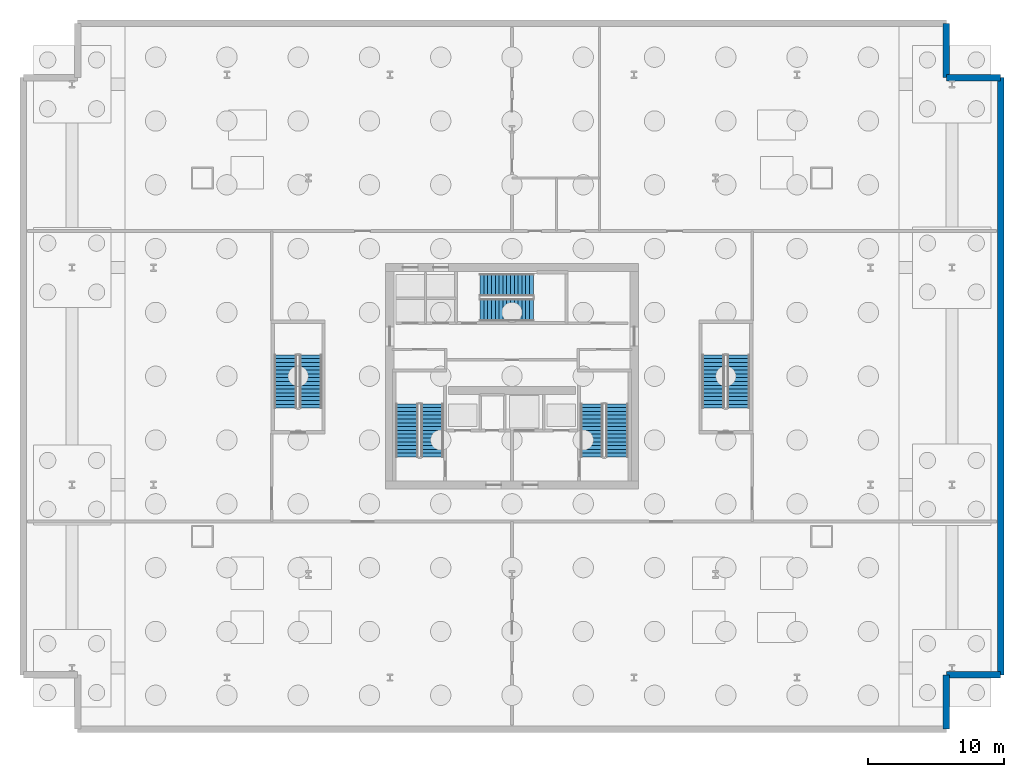
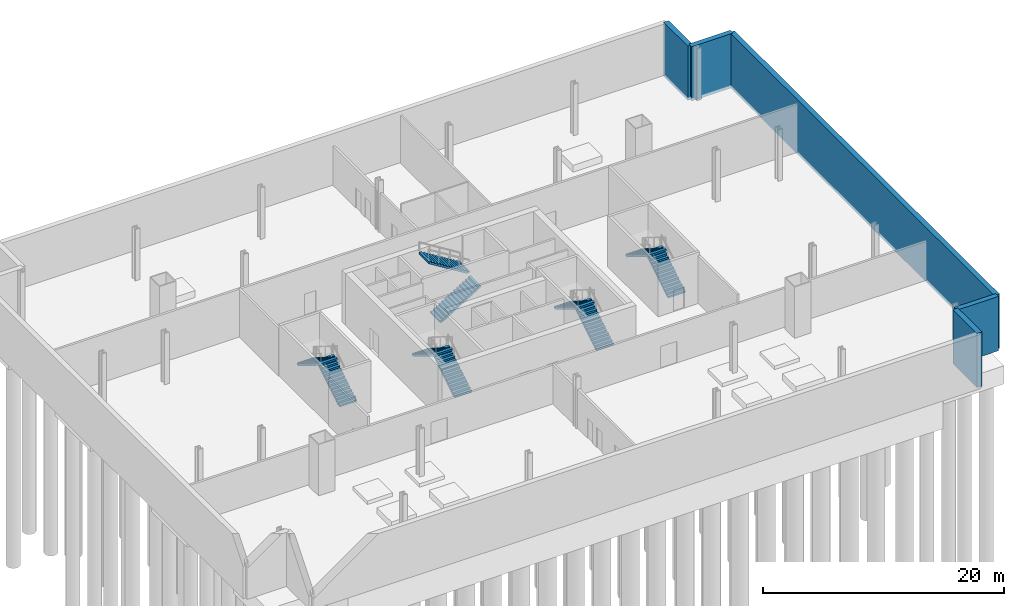
# One storey, part 6 of 8: 10 stair flights, 5 walls, 5 elements without a shape of their own.
"""IFC4 building model written with IfcOpenShell, lengths in metres."""

import ifcopenshell
import ifcopenshell.guid

model = None  # the IFC model being written
_history = None  # IfcOwnerHistory: only IFC2X3 demands one
_inside = {}  # id of a spatial element -> (the spatial element, [elements in it])
_under = {}  # id of a project, library or spatial element -> (it, [spatial elements below it])
_declared = {}  # id of a project -> (the project, [libraries it declares])
_typed = {}  # id of a type object -> (the type object, [elements of that type])
_made_of = {}  # id of a material, layer set ... -> (it, [elements and type objects made of it])


def new_model(schema):
    """Start an empty IFC model of exactly this schema.

    Asked for "IFC4X3", IfcOpenShell would pick the latest addendum, in which some entities
    have other attributes; the version numbers below select the first issue.
    IFC2X3 requires an IfcOwnerHistory on every rooted entity: one is made here for all.
    """
    global model, _history
    if schema == "IFC4X3":
        model = ifcopenshell.file(schema_version=(4, 3, 0, 0))
    else:
        model = ifcopenshell.file(schema=schema)
    _inside.clear()
    _under.clear()
    _declared.clear()
    _typed.clear()
    _made_of.clear()
    _history = None
    if model.schema == "IFC2X3":
        org = make("IfcOrganization", Name="unknown")
        user = make(
            "IfcPersonAndOrganization",
            ThePerson=make("IfcPerson", FamilyName="unknown"),
            TheOrganization=org,
        )
        app = make(
            "IfcApplication",
            ApplicationDeveloper=org,
            Version="unknown",
            ApplicationFullName="unknown",
            ApplicationIdentifier="unknown",
        )
        _history = make(
            "IfcOwnerHistory",
            OwningUser=user,
            OwningApplication=app,
            ChangeAction="ADDED",
            CreationDate=0,
        )
    return model


def make(cls, **values):
    """One entity of the class cls with the attributes given. An attribute that is None is left unset."""
    return model.create_entity(
        cls, **{name: value for name, value in values.items() if value is not None}
    )


def rooted(cls, **values):
    """An entity with a GlobalId (a new one), such as an element, a storey or a relation."""
    return make(cls, GlobalId=ifcopenshell.guid.new(), OwnerHistory=_history, **values)


def si_unit(unit_type, name, prefix=None):
    """IfcSIUnit, for example si_unit("LENGTHUNIT", "METRE", prefix="MILLI")."""
    return make("IfcSIUnit", UnitType=unit_type, Prefix=prefix, Name=name)


def assignment(units):
    """IfcUnitAssignment: the units of a project."""
    return None if units is None else make("IfcUnitAssignment", Units=units)


def point(xyz):
    """IfcCartesianPoint."""
    return None if xyz is None else make("IfcCartesianPoint", Coordinates=xyz)


def direction(xyz):
    """IfcDirection."""
    return None if xyz is None else make("IfcDirection", DirectionRatios=xyz)


def frame(location, z_axis=None, x_axis=None):
    """IfcAxis2Placement3D, a coordinate frame: its origin and axes. An axis left out is left unset."""
    return make(
        "IfcAxis2Placement3D",
        Location=point(location),
        Axis=direction(z_axis),
        RefDirection=direction(x_axis),
    )


def frame_2d(location, x_axis=None):
    """IfcAxis2Placement2D, a coordinate frame in the plane: its origin and x axis."""
    return make(
        "IfcAxis2Placement2D", Location=point(location), RefDirection=direction(x_axis)
    )


def origin():
    """The frame at (0, 0, 0) with its axes left unset."""
    return frame((0.0, 0.0, 0.0))


def place(relative_to, where):
    """IfcLocalPlacement: puts the frame where relative to a parent placement (None: the world)."""
    return make(
        "IfcLocalPlacement", PlacementRelTo=relative_to, RelativePlacement=where
    )


def context(
    kind, dimensions, precision=None, world=None, true_north=None, identifier=None
):
    """IfcGeometricRepresentationContext, for example the 3D "Model" context."""
    return make(
        "IfcGeometricRepresentationContext",
        ContextIdentifier=identifier,
        ContextType=kind,
        CoordinateSpaceDimension=dimensions,
        Precision=precision,
        WorldCoordinateSystem=world,
        TrueNorth=true_north,
    )


def subcontext(parent, identifier, kind, view, scale=None):
    """IfcGeometricRepresentationSubContext, for example "Body" below "Model"."""
    return make(
        "IfcGeometricRepresentationSubContext",
        ContextIdentifier=identifier,
        ContextType=kind,
        ParentContext=parent,
        TargetScale=scale,
        TargetView=view,
    )


def project(units=None, contexts=None):
    """IfcProject with its units and contexts."""
    return rooted(
        "IfcProject",
        Name="project",
        RepresentationContexts=contexts,
        UnitsInContext=assignment(units),
    )


def spatial(cls, under=None, at=None, **own):
    """A site, building, storey or space (cls), placed at a placement, below another one or the project."""
    s = rooted(cls, ObjectPlacement=at, **own)
    if under is not None:
        _under.setdefault(under.id(), (under, []))[1].append(s)
    return s


def polyline(points):
    """IfcPolyline through the points."""
    return make("IfcPolyline", Points=[point(p) for p in points])


def profile(cls, at=None, kind="AREA", **sizes):
    """A parametric profile (cls). Its sizes go by their IFC names, for example OverallWidth=200.0."""
    return make(cls, ProfileType=kind, Position=at, **sizes)


def rectangle(**sizes):
    """IfcRectangleProfileDef."""
    return profile("IfcRectangleProfileDef", **sizes)


def outline(outer, holes=None, kind="AREA"):
    """IfcArbitraryClosedProfileDef: a profile drawn as a closed curve; with holes, ...WithVoids."""
    if holes is None:
        return make("IfcArbitraryClosedProfileDef", ProfileType=kind, OuterCurve=outer)
    return make(
        "IfcArbitraryProfileDefWithVoids",
        ProfileType=kind,
        OuterCurve=outer,
        InnerCurves=holes,
    )


def extrude(swept, where, along, depth):
    """IfcExtrudedAreaSolid: the profile swept, set in the frame where, extruded along a direction by depth."""
    return make(
        "IfcExtrudedAreaSolid",
        SweptArea=swept,
        Position=where,
        ExtrudedDirection=direction(along),
        Depth=depth,
    )


def shape(context_of_items, identifier, shape_type, items):
    """IfcShapeRepresentation: the items that make up one representation, for example the "Body"."""
    return make(
        "IfcShapeRepresentation",
        ContextOfItems=context_of_items,
        RepresentationIdentifier=identifier,
        RepresentationType=shape_type,
        Items=items,
    )


def material(Name=None, Category=None):
    """IfcMaterial."""
    return make("IfcMaterial", Name=Name, Category=Category)


def layer(
    of_material, thickness, ventilated=None, Name=None, Category=None, Priority=None
):
    """IfcMaterialLayer: one layer of a wall or slab, of a material (None: an air gap)."""
    return make(
        "IfcMaterialLayer",
        Material=of_material,
        LayerThickness=thickness,
        IsVentilated=ventilated,
        Name=Name,
        Category=Category,
        Priority=Priority,
    )


def layer_set(layers, Name=None):
    """IfcMaterialLayerSet."""
    return make("IfcMaterialLayerSet", MaterialLayers=layers, LayerSetName=Name)


def made_of(thing, what):
    """Note that an element or type object is made of a material, layer set ...; save() writes the relation."""
    if what is not None:
        _made_of.setdefault(what.id(), (what, []))[1].append(thing)
    return thing


def type_object(cls, material=None, **own):
    """A type object (cls), such as IfcWallType, which elements share."""
    return made_of(rooted(cls, **own), material)


def element(
    cls,
    number,
    at=None,
    inside=None,
    cuts=None,
    type_object=None,
    material=None,
    context=None,
    identifier="Body",
    shape_type=None,
    held_by="IfcProductDefinitionShape",
    body=None,
    shapes=None,
    **own,
):
    """One element of the class cls, such as IfcWall. Its Tag is "e" and its number.

    at: its placement. inside: the storey or other place that contains it. cuts: it is an
    opening in that element (IfcRelVoidsElement). A single representation is given by context,
    identifier, shape_type and body (its items); several are given by shapes. held_by: the class
    of the entity that holds the representations. save() writes the other relations.
    """
    e = rooted(cls, Tag="e%d" % number, ObjectPlacement=at, **own)
    if body is not None:
        shapes = [shape(context, identifier, shape_type, body)]
    if shapes is not None:
        e.Representation = make(held_by, Representations=shapes)
    if inside is not None:
        _inside.setdefault(inside.id(), (inside, []))[1].append(e)
    if cuts is not None:
        rooted(
            "IfcRelVoidsElement", RelatingBuildingElement=cuts, RelatedOpeningElement=e
        )
    if type_object is not None:
        _typed.setdefault(type_object.id(), (type_object, []))[1].append(e)
    return made_of(e, material)


def aggregate(whole, parts):
    """IfcRelAggregates: a whole, such as a stair, and the parts it consists of."""
    return rooted("IfcRelAggregates", RelatingObject=whole, RelatedObjects=parts)


def save(model, path):
    """Write the relations noted so far, then the file.

    IfcRelAggregates (storeys below a building ...), IfcRelContainedInSpatialStructure (elements
    in a storey), IfcRelDefinesByType, IfcRelAssociatesMaterial and IfcRelDeclares: one each for
    every whole, place, type object, material and project.
    """
    for whole, parts in _under.values():
        aggregate(whole, parts)
    for where, things in _inside.values():
        rooted(
            "IfcRelContainedInSpatialStructure",
            RelatedElements=things,
            RelatingStructure=where,
        )
    for kind, things in _typed.values():
        rooted("IfcRelDefinesByType", RelatedObjects=things, RelatingType=kind)
    for what, things in _made_of.values():
        rooted("IfcRelAssociatesMaterial", RelatedObjects=things, RelatingMaterial=what)
    for by, libraries in _declared.values():
        rooted("IfcRelDeclares", RelatingContext=by, RelatedDefinitions=libraries)
    model.write(path)


model = new_model("IFC4")

# Units and contexts
model_context = context("Model", 3, precision=1e-05, world=origin(), true_north=direction((0.0, 1.0)))
body_context = subcontext(model_context, "Body", "Model", "MODEL_VIEW")
ifc_project = project(units=[si_unit("LENGTHUNIT", "METRE"), si_unit("AREAUNIT", "SQUARE_METRE"), si_unit("VOLUMEUNIT", "CUBIC_METRE"), si_unit("PLANEANGLEUNIT", "RADIAN"), si_unit("MASSUNIT", "GRAM", prefix="KILO")], contexts=[model_context])

# Site, building, storey
site_placement = place(None, origin())
site = spatial("IfcSite", under=ifc_project, at=site_placement, CompositionType="ELEMENT")
building_placement = place(site_placement, origin())
building = spatial("IfcBuilding", under=site, at=building_placement, Name="Haldenkirk Collegiate Tower", CompositionType="ELEMENT")
storey_placement = place(building_placement, frame((0.0, 0.0, -5.199951171875)))
storey = spatial("IfcBuildingStorey", under=building, at=storey_placement, Name="B1", CompositionType="ELEMENT", Elevation=-5.199951171875)

# Walls
ifc_material_1 = material(Name="Concrete f'c 55 MPa", Category="concrete")
ifc_layer = layer(ifc_material_1, 0.47998046875)
ifc_layer_set = layer_set([ifc_layer], Name="Concrete f'c 55 MPa")
wall_type = type_object("IfcWallType", Name="WL-B1-RET-480", PredefinedType="SHEAR", material=ifc_layer_set)
for number, where, z_axis, x_axis, name in (
    (1, (68.0, 0.0, -0.300048828125), (0.0, 0.0, 1.0), (0.0, 1.0, 0.0), "B1 perimeter retaining wall 02"),
    (2, (68.0, 4.0, -0.300048828125), (0.0, 0.0, 1.0), (1.0, 0.0, 0.0), "B1 perimeter retaining wall 03"),
):
    element("IfcWall", number, at=place(storey_placement, frame(where, z_axis=z_axis, x_axis=x_axis)), inside=storey, type_object=wall_type, Name=name, PredefinedType="SHEAR", context=body_context, shape_type="SweptSolid", body=[
        extrude(rectangle(XDim=4.0, YDim=0.47998046875, at=frame_2d((2.0, 0.0))), origin(), (0.0, 0.0, 1.0), 5.5),
    ])
wall_placement = place(storey_placement, frame((72.0, 4.0, -0.300048828125), z_axis=(0.0, 0.0, 1.0), x_axis=(0.0, 1.0, 0.0)))
element("IfcWall", 3, at=wall_placement, inside=storey, type_object=wall_type, Name="B1 perimeter retaining wall 04", PredefinedType="SHEAR", context=body_context, shape_type="SweptSolid", body=[
    extrude(rectangle(XDim=44.0, YDim=0.47998046875, at=frame_2d((22.0, 0.0))), origin(), (0.0, 0.0, 1.0), 5.5),
])
for number, where, z_axis, x_axis, name in (
    (4, (72.0, 48.0, -0.300048828125), (0.0, 0.0, 1.0), (-1.0, 0.0, 0.0), "B1 perimeter retaining wall 05"),
    (5, (68.0, 48.0, -0.300048828125), (0.0, 0.0, 1.0), (0.0, 1.0, 0.0), "B1 perimeter retaining wall 06"),
):
    element("IfcWall", number, at=place(storey_placement, frame(where, z_axis=z_axis, x_axis=x_axis)), inside=storey, type_object=wall_type, Name=name, PredefinedType="SHEAR", context=body_context, shape_type="SweptSolid", body=[
        extrude(rectangle(XDim=4.0, YDim=0.47998046875, at=frame_2d((2.0, 0.0))), origin(), (0.0, 0.0, 1.0), 5.5),
    ])

# Stair, stair flights
ifc_material_2 = material(Name="Concrete f'c 40 MPa", Category="concrete")
stair_type = type_object("IfcStairType", Name="STR-DOGLEG-1650", PredefinedType="HALF_TURN_STAIR", material=ifc_material_2)
stair_1_placement = place(storey_placement, origin())
stair_1 = element("IfcStair", 6, at=stair_1_placement, inside=storey, type_object=stair_type, Name="B1 Core Exit Stair ST-1", PredefinedType="HALF_TURN_STAIR")
stair_flight_type = type_object("IfcStairFlightType", Name="STF-FLIGHT-1650", PredefinedType="STRAIGHT", material=ifc_material_2)
stair_flight_1_placement = place(storey_placement, frame((30.125, 20.050048828125, 0.0), z_axis=(0.0, 0.0, 1.0), x_axis=(0.0, 1.0, 0.0)))
stair_flight_1 = element("IfcStairFlight", 7, at=stair_flight_1_placement, type_object=stair_flight_type, Name="ST-1 flight 1", NumberOfRisers=15, NumberOfTreads=14, PredefinedType="STRAIGHT", RiserHeight=0.173333333, TreadLength=0.28, context=body_context, shape_type="SweptSolid", body=[
    extrude(outline(polyline([(0.0, 0.0), (0.0, 0.17333984375), (0.280029296875, 0.17333984375), (0.280029296875, 0.3466796875), (0.56005859375, 0.3466796875), (0.56005859375, 0.52001953125), (0.840087890625, 0.52001953125), (0.840087890625, 0.693359375), (1.1201171875, 0.693359375), (1.1201171875, 0.86669921875), (1.39990234375, 0.86669921875), (1.39990234375, 1.0400390625), (1.679931640625, 1.0400390625), (1.679931640625, 1.21337890625), (1.9599609375, 1.21337890625), (1.9599609375, 1.38671875), (2.239990234375, 1.38671875), (2.239990234375, 1.56005859375), (2.52001953125, 1.56005859375), (2.52001953125, 1.7333984375), (2.800048828125, 1.7333984375), (2.800048828125, 1.90673828125), (3.080078125, 1.90673828125), (3.080078125, 2.080078125), (3.360107421875, 2.080078125), (3.360107421875, 2.25341796875), (3.639892578125, 2.25341796875), (3.639892578125, 2.4267578125), (3.919921875, 2.4267578125), (3.919921875, 2.60009765625), (3.919921875, 2.250244140625), (0.284912109375, 0.0), (0.0, 0.0)])), frame((0.0, 0.824951171875, 0.0), z_axis=(0.0, -1.0, 0.0), x_axis=(1.0, 0.0, 0.0)), (0.0, 0.0, 1.0), 1.64990234375),
])
stair_flight_2_placement = place(storey_placement, frame((28.27490234375, 23.969970703125, 2.599853515625), z_axis=(0.0, 0.0, 1.0), x_axis=(0.0, -1.0, 0.0)))
stair_flight_2 = element("IfcStairFlight", 8, at=stair_flight_2_placement, type_object=stair_flight_type, Name="ST-1 flight 2", NumberOfRisers=15, NumberOfTreads=14, PredefinedType="STRAIGHT", RiserHeight=0.173333333, TreadLength=0.28, context=body_context, shape_type="SweptSolid", body=[
    extrude(outline(polyline([(0.0, 0.0), (0.0, 0.17333984375), (0.280029296875, 0.17333984375), (0.280029296875, 0.3466796875), (0.56005859375, 0.3466796875), (0.56005859375, 0.52001953125), (0.840087890625, 0.52001953125), (0.840087890625, 0.693359375), (1.1201171875, 0.693359375), (1.1201171875, 0.86669921875), (1.39990234375, 0.86669921875), (1.39990234375, 1.0400390625), (1.679931640625, 1.0400390625), (1.679931640625, 1.21337890625), (1.9599609375, 1.21337890625), (1.9599609375, 1.38671875), (2.239990234375, 1.38671875), (2.239990234375, 1.56005859375), (2.52001953125, 1.56005859375), (2.52001953125, 1.7333984375), (2.800048828125, 1.7333984375), (2.800048828125, 1.90673828125), (3.080078125, 1.90673828125), (3.080078125, 2.080078125), (3.360107421875, 2.080078125), (3.360107421875, 2.25341796875), (3.639892578125, 2.25341796875), (3.639892578125, 2.4267578125), (3.919921875, 2.4267578125), (3.919921875, 2.60009765625), (3.919921875, 2.250244140625), (0.284912109375, 0.0), (0.0, 0.0)])), frame((0.0, 0.824951171875, 0.0), z_axis=(0.0, -1.0, 0.0), x_axis=(1.0, 0.0, 0.0)), (0.0, 0.0, 1.0), 1.64990234375),
])
aggregate(stair_1, [stair_flight_1, stair_flight_2])

stair_2_placement = place(storey_placement, origin())
stair_2 = element("IfcStair", 9, at=stair_2_placement, inside=storey, type_object=stair_type, Name="B1 Core Exit Stair ST-2", PredefinedType="HALF_TURN_STAIR")
stair_flight_3_placement = place(storey_placement, frame((43.72509765625, 20.050048828125, 0.0), z_axis=(0.0, 0.0, 1.0), x_axis=(0.0, 1.0, 0.0)))
stair_flight_3 = element("IfcStairFlight", 10, at=stair_flight_3_placement, type_object=stair_flight_type, Name="ST-2 flight 1", NumberOfRisers=15, NumberOfTreads=14, PredefinedType="STRAIGHT", RiserHeight=0.173333333, TreadLength=0.28, context=body_context, shape_type="SweptSolid", body=[
    extrude(outline(polyline([(0.0, 0.0), (0.0, 0.17333984375), (0.280029296875, 0.17333984375), (0.280029296875, 0.3466796875), (0.56005859375, 0.3466796875), (0.56005859375, 0.52001953125), (0.840087890625, 0.52001953125), (0.840087890625, 0.693359375), (1.1201171875, 0.693359375), (1.1201171875, 0.86669921875), (1.39990234375, 0.86669921875), (1.39990234375, 1.0400390625), (1.679931640625, 1.0400390625), (1.679931640625, 1.21337890625), (1.9599609375, 1.21337890625), (1.9599609375, 1.38671875), (2.239990234375, 1.38671875), (2.239990234375, 1.56005859375), (2.52001953125, 1.56005859375), (2.52001953125, 1.7333984375), (2.800048828125, 1.7333984375), (2.800048828125, 1.90673828125), (3.080078125, 1.90673828125), (3.080078125, 2.080078125), (3.360107421875, 2.080078125), (3.360107421875, 2.25341796875), (3.639892578125, 2.25341796875), (3.639892578125, 2.4267578125), (3.919921875, 2.4267578125), (3.919921875, 2.60009765625), (3.919921875, 2.250244140625), (0.284912109375, 0.0), (0.0, 0.0)])), frame((0.0, 0.824951171875, 0.0), z_axis=(0.0, -1.0, 0.0), x_axis=(1.0, 0.0, 0.0)), (0.0, 0.0, 1.0), 1.64990234375),
])
stair_flight_4_placement = place(storey_placement, frame((41.875, 23.969970703125, 2.599853515625), z_axis=(0.0, 0.0, 1.0), x_axis=(0.0, -1.0, 0.0)))
stair_flight_4 = element("IfcStairFlight", 11, at=stair_flight_4_placement, type_object=stair_flight_type, Name="ST-2 flight 2", NumberOfRisers=15, NumberOfTreads=14, PredefinedType="STRAIGHT", RiserHeight=0.173333333, TreadLength=0.28, context=body_context, shape_type="SweptSolid", body=[
    extrude(outline(polyline([(0.0, 0.0), (0.0, 0.17333984375), (0.280029296875, 0.17333984375), (0.280029296875, 0.3466796875), (0.56005859375, 0.3466796875), (0.56005859375, 0.52001953125), (0.840087890625, 0.52001953125), (0.840087890625, 0.693359375), (1.1201171875, 0.693359375), (1.1201171875, 0.86669921875), (1.39990234375, 0.86669921875), (1.39990234375, 1.0400390625), (1.679931640625, 1.0400390625), (1.679931640625, 1.21337890625), (1.9599609375, 1.21337890625), (1.9599609375, 1.38671875), (2.239990234375, 1.38671875), (2.239990234375, 1.56005859375), (2.52001953125, 1.56005859375), (2.52001953125, 1.7333984375), (2.800048828125, 1.7333984375), (2.800048828125, 1.90673828125), (3.080078125, 1.90673828125), (3.080078125, 2.080078125), (3.360107421875, 2.080078125), (3.360107421875, 2.25341796875), (3.639892578125, 2.25341796875), (3.639892578125, 2.4267578125), (3.919921875, 2.4267578125), (3.919921875, 2.60009765625), (3.919921875, 2.250244140625), (0.284912109375, 0.0), (0.0, 0.0)])), frame((0.0, 0.824951171875, 0.0), z_axis=(0.0, -1.0, 0.0), x_axis=(1.0, 0.0, 0.0)), (0.0, 0.0, 1.0), 1.64990234375),
])
aggregate(stair_2, [stair_flight_3, stair_flight_4])

stair_3_placement = place(storey_placement, origin())
stair_3 = element("IfcStair", 12, at=stair_3_placement, inside=storey, type_object=stair_type, Name="B1 Core Exit Stair ST-3", PredefinedType="HALF_TURN_STAIR")
stair_flight_5_placement = place(storey_placement, frame((33.64990234375, 30.875, 0.0), z_axis=(0.0, 0.0, 1.0), x_axis=(1.0, 0.0, 0.0)))
stair_flight_5 = element("IfcStairFlight", 13, at=stair_flight_5_placement, type_object=stair_flight_type, Name="ST-3 flight 1", NumberOfRisers=15, NumberOfTreads=14, PredefinedType="STRAIGHT", RiserHeight=0.173333333, TreadLength=0.28, context=body_context, shape_type="SweptSolid", body=[
    extrude(outline(polyline([(0.0, 0.0), (0.0, 0.17333984375), (0.280029296875, 0.17333984375), (0.280029296875, 0.3466796875), (0.56005859375, 0.3466796875), (0.56005859375, 0.52001953125), (0.840087890625, 0.52001953125), (0.840087890625, 0.693359375), (1.1201171875, 0.693359375), (1.1201171875, 0.86669921875), (1.39990234375, 0.86669921875), (1.39990234375, 1.0400390625), (1.679931640625, 1.0400390625), (1.679931640625, 1.21337890625), (1.9599609375, 1.21337890625), (1.9599609375, 1.38671875), (2.239990234375, 1.38671875), (2.239990234375, 1.56005859375), (2.52001953125, 1.56005859375), (2.52001953125, 1.7333984375), (2.800048828125, 1.7333984375), (2.800048828125, 1.90673828125), (3.080078125, 1.90673828125), (3.080078125, 2.080078125), (3.360107421875, 2.080078125), (3.360107421875, 2.25341796875), (3.639892578125, 2.25341796875), (3.639892578125, 2.4267578125), (3.919921875, 2.4267578125), (3.919921875, 2.60009765625), (3.919921875, 2.250244140625), (0.284912109375, 0.0), (0.0, 0.0)])), frame((0.0, 0.824951171875, 0.0), z_axis=(0.0, -1.0, 0.0), x_axis=(1.0, 0.0, 0.0)), (0.0, 0.0, 1.0), 1.64990234375),
])
stair_flight_6_placement = place(storey_placement, frame((37.570068359375, 32.72509765625, 2.599853515625), z_axis=(0.0, 0.0, 1.0), x_axis=(-1.0, 0.0, 0.0)))
stair_flight_6 = element("IfcStairFlight", 14, at=stair_flight_6_placement, type_object=stair_flight_type, Name="ST-3 flight 2", NumberOfRisers=15, NumberOfTreads=14, PredefinedType="STRAIGHT", RiserHeight=0.173333333, TreadLength=0.28, context=body_context, shape_type="SweptSolid", body=[
    extrude(outline(polyline([(0.0, 0.0), (0.0, 0.17333984375), (0.280029296875, 0.17333984375), (0.280029296875, 0.3466796875), (0.56005859375, 0.3466796875), (0.56005859375, 0.52001953125), (0.840087890625, 0.52001953125), (0.840087890625, 0.693359375), (1.1201171875, 0.693359375), (1.1201171875, 0.86669921875), (1.39990234375, 0.86669921875), (1.39990234375, 1.0400390625), (1.679931640625, 1.0400390625), (1.679931640625, 1.21337890625), (1.9599609375, 1.21337890625), (1.9599609375, 1.38671875), (2.239990234375, 1.38671875), (2.239990234375, 1.56005859375), (2.52001953125, 1.56005859375), (2.52001953125, 1.7333984375), (2.800048828125, 1.7333984375), (2.800048828125, 1.90673828125), (3.080078125, 1.90673828125), (3.080078125, 2.080078125), (3.360107421875, 2.080078125), (3.360107421875, 2.25341796875), (3.639892578125, 2.25341796875), (3.639892578125, 2.4267578125), (3.919921875, 2.4267578125), (3.919921875, 2.60009765625), (3.919921875, 2.250244140625), (0.284912109375, 0.0), (0.0, 0.0)])), frame((0.0, 0.824951171875, 0.0), z_axis=(0.0, -1.0, 0.0), x_axis=(1.0, 0.0, 0.0)), (0.0, 0.0, 1.0), 1.64990234375),
])
aggregate(stair_3, [stair_flight_5, stair_flight_6])

stair_4_placement = place(storey_placement, origin())
stair_4 = element("IfcStair", 15, at=stair_4_placement, inside=storey, type_object=stair_type, Name="B1 Podium Exit Stair ST-4", PredefinedType="HALF_TURN_STAIR")
stair_flight_7_placement = place(storey_placement, frame((21.175048828125, 23.64990234375, 0.0), z_axis=(0.0, 0.0, 1.0), x_axis=(0.0, 1.0, 0.0)))
stair_flight_7 = element("IfcStairFlight", 16, at=stair_flight_7_placement, type_object=stair_flight_type, Name="ST-4 flight 1", NumberOfRisers=15, NumberOfTreads=14, PredefinedType="STRAIGHT", RiserHeight=0.173333333, TreadLength=0.28, context=body_context, shape_type="SweptSolid", body=[
    extrude(outline(polyline([(0.0, 0.0), (0.0, 0.17333984375), (0.280029296875, 0.17333984375), (0.280029296875, 0.3466796875), (0.56005859375, 0.3466796875), (0.56005859375, 0.52001953125), (0.840087890625, 0.52001953125), (0.840087890625, 0.693359375), (1.1201171875, 0.693359375), (1.1201171875, 0.86669921875), (1.39990234375, 0.86669921875), (1.39990234375, 1.0400390625), (1.679931640625, 1.0400390625), (1.679931640625, 1.21337890625), (1.9599609375, 1.21337890625), (1.9599609375, 1.38671875), (2.239990234375, 1.38671875), (2.239990234375, 1.56005859375), (2.52001953125, 1.56005859375), (2.52001953125, 1.7333984375), (2.800048828125, 1.7333984375), (2.800048828125, 1.90673828125), (3.080078125, 1.90673828125), (3.080078125, 2.080078125), (3.360107421875, 2.080078125), (3.360107421875, 2.25341796875), (3.639892578125, 2.25341796875), (3.639892578125, 2.4267578125), (3.919921875, 2.4267578125), (3.919921875, 2.60009765625), (3.919921875, 2.250244140625), (0.284912109375, 0.0), (0.0, 0.0)])), frame((0.0, 0.824951171875, 0.0), z_axis=(0.0, -1.0, 0.0), x_axis=(1.0, 0.0, 0.0)), (0.0, 0.0, 1.0), 1.64990234375),
])
stair_flight_8_placement = place(storey_placement, frame((19.324951171875, 27.570068359375, 2.599853515625), z_axis=(0.0, 0.0, 1.0), x_axis=(0.0, -1.0, 0.0)))
stair_flight_8 = element("IfcStairFlight", 17, at=stair_flight_8_placement, type_object=stair_flight_type, Name="ST-4 flight 2", NumberOfRisers=15, NumberOfTreads=14, PredefinedType="STRAIGHT", RiserHeight=0.173333333, TreadLength=0.28, context=body_context, shape_type="SweptSolid", body=[
    extrude(outline(polyline([(0.0, 0.0), (0.0, 0.17333984375), (0.280029296875, 0.17333984375), (0.280029296875, 0.3466796875), (0.56005859375, 0.3466796875), (0.56005859375, 0.52001953125), (0.840087890625, 0.52001953125), (0.840087890625, 0.693359375), (1.1201171875, 0.693359375), (1.1201171875, 0.86669921875), (1.39990234375, 0.86669921875), (1.39990234375, 1.0400390625), (1.679931640625, 1.0400390625), (1.679931640625, 1.21337890625), (1.9599609375, 1.21337890625), (1.9599609375, 1.38671875), (2.239990234375, 1.38671875), (2.239990234375, 1.56005859375), (2.52001953125, 1.56005859375), (2.52001953125, 1.7333984375), (2.800048828125, 1.7333984375), (2.800048828125, 1.90673828125), (3.080078125, 1.90673828125), (3.080078125, 2.080078125), (3.360107421875, 2.080078125), (3.360107421875, 2.25341796875), (3.639892578125, 2.25341796875), (3.639892578125, 2.4267578125), (3.919921875, 2.4267578125), (3.919921875, 2.60009765625), (3.919921875, 2.250244140625), (0.284912109375, 0.0), (0.0, 0.0)])), frame((0.0, 0.824951171875, 0.0), z_axis=(0.0, -1.0, 0.0), x_axis=(1.0, 0.0, 0.0)), (0.0, 0.0, 1.0), 1.64990234375),
])
aggregate(stair_4, [stair_flight_7, stair_flight_8])

stair_5_placement = place(storey_placement, origin())
stair_5 = element("IfcStair", 18, at=stair_5_placement, inside=storey, type_object=stair_type, Name="B1 Podium Exit Stair ST-5", PredefinedType="HALF_TURN_STAIR")
stair_flight_9_placement = place(storey_placement, frame((52.675048828125, 23.64990234375, 0.0), z_axis=(0.0, 0.0, 1.0), x_axis=(0.0, 1.0, 0.0)))
stair_flight_9 = element("IfcStairFlight", 19, at=stair_flight_9_placement, type_object=stair_flight_type, Name="ST-5 flight 1", NumberOfRisers=15, NumberOfTreads=14, PredefinedType="STRAIGHT", RiserHeight=0.173333333, TreadLength=0.28, context=body_context, shape_type="SweptSolid", body=[
    extrude(outline(polyline([(0.0, 0.0), (0.0, 0.17333984375), (0.280029296875, 0.17333984375), (0.280029296875, 0.3466796875), (0.56005859375, 0.3466796875), (0.56005859375, 0.52001953125), (0.840087890625, 0.52001953125), (0.840087890625, 0.693359375), (1.1201171875, 0.693359375), (1.1201171875, 0.86669921875), (1.39990234375, 0.86669921875), (1.39990234375, 1.0400390625), (1.679931640625, 1.0400390625), (1.679931640625, 1.21337890625), (1.9599609375, 1.21337890625), (1.9599609375, 1.38671875), (2.239990234375, 1.38671875), (2.239990234375, 1.56005859375), (2.52001953125, 1.56005859375), (2.52001953125, 1.7333984375), (2.800048828125, 1.7333984375), (2.800048828125, 1.90673828125), (3.080078125, 1.90673828125), (3.080078125, 2.080078125), (3.360107421875, 2.080078125), (3.360107421875, 2.25341796875), (3.639892578125, 2.25341796875), (3.639892578125, 2.4267578125), (3.919921875, 2.4267578125), (3.919921875, 2.60009765625), (3.919921875, 2.250244140625), (0.284912109375, 0.0), (0.0, 0.0)])), frame((0.0, 0.824951171875, 0.0), z_axis=(0.0, -1.0, 0.0), x_axis=(1.0, 0.0, 0.0)), (0.0, 0.0, 1.0), 1.64990234375),
])
stair_flight_10_placement = place(storey_placement, frame((50.824951171875, 27.570068359375, 2.599853515625), z_axis=(0.0, 0.0, 1.0), x_axis=(0.0, -1.0, 0.0)))
stair_flight_10 = element("IfcStairFlight", 20, at=stair_flight_10_placement, type_object=stair_flight_type, Name="ST-5 flight 2", NumberOfRisers=15, NumberOfTreads=14, PredefinedType="STRAIGHT", RiserHeight=0.173333333, TreadLength=0.28, context=body_context, shape_type="SweptSolid", body=[
    extrude(outline(polyline([(0.0, 0.0), (0.0, 0.17333984375), (0.280029296875, 0.17333984375), (0.280029296875, 0.3466796875), (0.56005859375, 0.3466796875), (0.56005859375, 0.52001953125), (0.840087890625, 0.52001953125), (0.840087890625, 0.693359375), (1.1201171875, 0.693359375), (1.1201171875, 0.86669921875), (1.39990234375, 0.86669921875), (1.39990234375, 1.0400390625), (1.679931640625, 1.0400390625), (1.679931640625, 1.21337890625), (1.9599609375, 1.21337890625), (1.9599609375, 1.38671875), (2.239990234375, 1.38671875), (2.239990234375, 1.56005859375), (2.52001953125, 1.56005859375), (2.52001953125, 1.7333984375), (2.800048828125, 1.7333984375), (2.800048828125, 1.90673828125), (3.080078125, 1.90673828125), (3.080078125, 2.080078125), (3.360107421875, 2.080078125), (3.360107421875, 2.25341796875), (3.639892578125, 2.25341796875), (3.639892578125, 2.4267578125), (3.919921875, 2.4267578125), (3.919921875, 2.60009765625), (3.919921875, 2.250244140625), (0.284912109375, 0.0), (0.0, 0.0)])), frame((0.0, 0.824951171875, 0.0), z_axis=(0.0, -1.0, 0.0), x_axis=(1.0, 0.0, 0.0)), (0.0, 0.0, 1.0), 1.64990234375),
])
aggregate(stair_5, [stair_flight_9, stair_flight_10])

save(model, "model.ifc")
